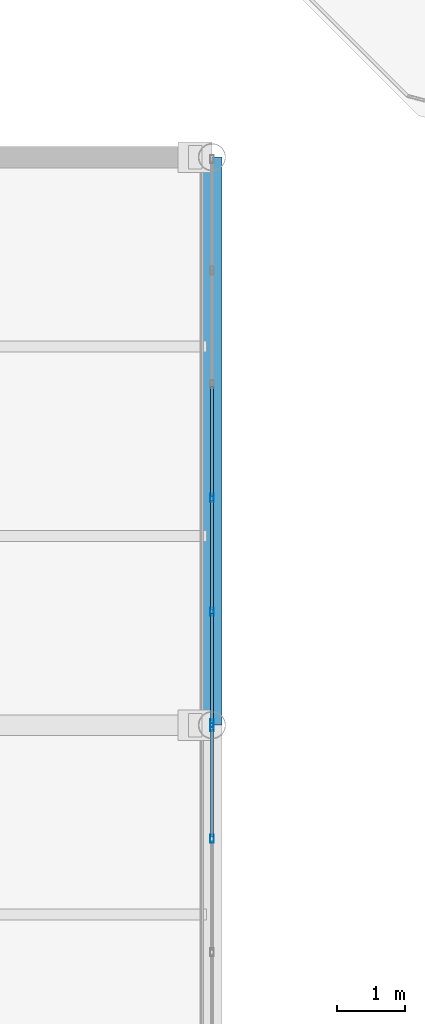
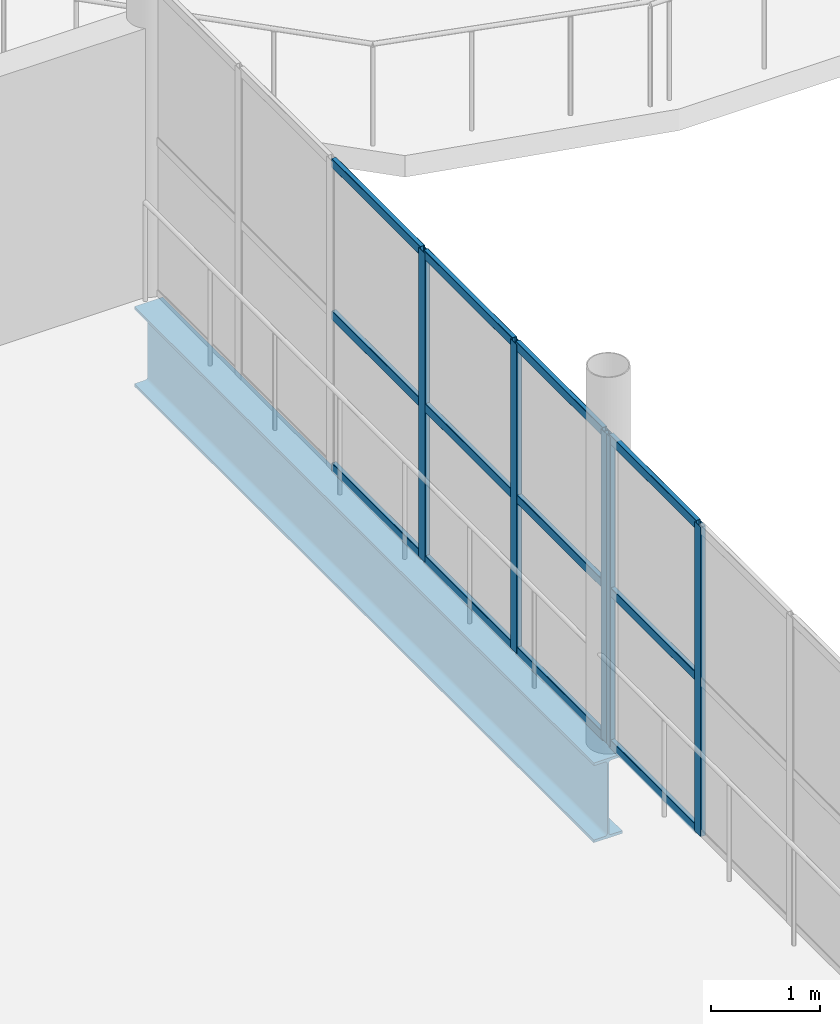
# One storey, part 57 of 163: 17 members, 1 beam, 2 elements without a shape of their own.
"""IFC4 building model written with IfcOpenShell, lengths in metres."""

from ifc_helpers import new_model, si_unit, direction, frame, origin, origin_2d, place, context, subcontext, project, spatial, hollow_rectangle, i_section, extrude, material, layer, layer_set, material_profile, profile_set, type_object, element, aggregate, save


model = new_model("IFC4")

# Units and contexts
model_context = context("Model", 3, precision=1e-05, world=origin(), true_north=direction((0.0, 1.0)))
body_context = subcontext(model_context, "Body", "Model", "MODEL_VIEW")
ifc_project = project(units=[si_unit("LENGTHUNIT", "METRE"), si_unit("AREAUNIT", "SQUARE_METRE"), si_unit("VOLUMEUNIT", "CUBIC_METRE"), si_unit("PLANEANGLEUNIT", "RADIAN"), si_unit("MASSUNIT", "GRAM", prefix="KILO")], contexts=[model_context])

# Site, building, storey
site_placement = place(None, origin())
site = spatial("IfcSite", under=ifc_project, at=site_placement, CompositionType="ELEMENT")
building_placement = place(site_placement, origin())
building = spatial("IfcBuilding", under=site, at=building_placement, Name="Qalvenar Corner Mobility Hub", CompositionType="ELEMENT")
storey_placement = place(building_placement, frame((0.0, 0.0, 4.800048828125)))
storey = spatial("IfcBuildingStorey", under=building, at=storey_placement, Name="L01", CompositionType="ELEMENT", Elevation=4.800048828125)

# Beam
ifc_material_1 = material(Name="Steel S355", Category="steel")
ifc_material_profile_1 = material_profile(ifc_material_1, i_section(OverallWidth=0.300048828125, OverallDepth=0.889892578125, WebThickness=0.01611328125, FlangeThickness=0.030029296875, FilletRadius=0.027099609375, at=origin_2d()), Name="HEA900")
ifc_profile_set_1 = profile_set([ifc_material_profile_1], Name="Steel S355")
beam_type = type_object("IfcBeamType", Name="BM-BRG900", PredefinedType="BEAM", material=ifc_profile_set_1)
beam_placement = place(storey_placement, frame((58.800048828125, 58.800048828125, -0.635009765625), z_axis=(0.0, 1.0, 0.0), x_axis=(-1.0, 0.0, 0.0)))
element("IfcBeam", 1, at=beam_placement, inside=storey, type_object=beam_type, Name="Court Link Bridge Girder BRG-1532", PredefinedType="BEAM", context=body_context, shape_type="SweptSolid", body=[
    extrude(i_section(OverallWidth=0.300048828125, OverallDepth=0.889892578125, WebThickness=0.01611328125, FlangeThickness=0.030029296875, FilletRadius=0.027099609375, at=origin_2d()), origin(), (0.0, 0.0, 1.0), 8.39990234375),
])

# Curtain wall, members
ifc_material_2 = material(Name="Anodised Aluminium and Low-E Glazing", Category="aluminium")
ifc_layer = layer(ifc_material_2, 0.1201171875)
ifc_layer_set = layer_set([ifc_layer], Name="Anodised Aluminium and Low-E Glazing")
curtain_wall_type = type_object("IfcCurtainWallType", Name="CW-BRG-84X28", PredefinedType="NOTDEFINED", material=ifc_layer_set)
curtain_wall_1_placement = place(storey_placement, origin())
curtain_wall_1 = element("IfcCurtainWall", 2, at=curtain_wall_1_placement, inside=storey, type_object=curtain_wall_type, Name="Glazed Curtain Wall CW-BRG-L01-E2", PredefinedType="NOTDEFINED")
ifc_material_3 = material(Name="Anodised Aluminium 6063-T6", Category="aluminium")
ifc_material_profile_2 = material_profile(ifc_material_3, hollow_rectangle(XDim=0.054931640625, YDim=0.1201171875, WallThickness=0.00341796875, InnerFilletRadius=0.00341796875, OuterFilletRadius=0.007080078125, at=origin_2d()), Name="RHS120x55x3.5")
ifc_profile_set_2 = profile_set([ifc_material_profile_2], Name="Anodised Aluminium 6063-T6")
member_type_1 = type_object("IfcMemberType", Name="CW-MUL120", PredefinedType="MULLION", material=ifc_profile_set_2)
member_1_placement = place(storey_placement, frame((58.800048828125, 57.1201171875, 0.0), z_axis=(0.0, 0.0, 1.0), x_axis=(-1.0, 0.0, 0.0)))
member_1 = element("IfcMember", 3, at=member_1_placement, type_object=member_type_1, Name="CW-11 mullion 5", PredefinedType="MULLION", context=body_context, shape_type="SweptSolid", body=[
    extrude(hollow_rectangle(XDim=0.054931640625, YDim=0.1201171875, WallThickness=0.00341796875, InnerFilletRadius=0.00341796875, OuterFilletRadius=0.007080078125, at=origin_2d()), origin(), (0.0, 0.0, 1.0), 3.449951171875),
])
member_2_placement = place(storey_placement, frame((58.800048828125, 58.77001953125, 0.0), z_axis=(0.0, 0.0, 1.0), x_axis=(-1.0, 0.0, 0.0)))
member_2 = element("IfcMember", 4, at=member_2_placement, type_object=member_type_1, Name="CW-11 mullion 6", PredefinedType="MULLION", context=body_context, shape_type="SweptSolid", body=[
    extrude(hollow_rectangle(XDim=0.054931640625, YDim=0.1201171875, WallThickness=0.00341796875, InnerFilletRadius=0.00341796875, OuterFilletRadius=0.007080078125, at=origin_2d()), origin(), (0.0, 0.0, 1.0), 3.449951171875),
])

curtain_wall_2_placement = place(storey_placement, origin())
curtain_wall_2 = element("IfcCurtainWall", 5, at=curtain_wall_2_placement, inside=storey, type_object=curtain_wall_type, Name="Glazed Curtain Wall CW-BRG-L01-E3", PredefinedType="NOTDEFINED")
member_3_placement = place(storey_placement, frame((58.800048828125, 58.830078125, 0.0), z_axis=(0.0, 0.0, 1.0), x_axis=(-1.0, 0.0, 0.0)))
member_3 = element("IfcMember", 6, at=member_3_placement, type_object=member_type_1, Name="CW-11 mullion 1", PredefinedType="MULLION", context=body_context, shape_type="SweptSolid", body=[
    extrude(hollow_rectangle(XDim=0.054931640625, YDim=0.1201171875, WallThickness=0.00341796875, InnerFilletRadius=0.00341796875, OuterFilletRadius=0.007080078125, at=origin_2d()), origin(), (0.0, 0.0, 1.0), 3.449951171875),
])
member_4_placement = place(storey_placement, frame((58.800048828125, 60.47998046875, 0.0), z_axis=(0.0, 0.0, 1.0), x_axis=(-1.0, 0.0, 0.0)))
member_4 = element("IfcMember", 7, at=member_4_placement, type_object=member_type_1, Name="CW-11 mullion 2", PredefinedType="MULLION", context=body_context, shape_type="SweptSolid", body=[
    extrude(hollow_rectangle(XDim=0.054931640625, YDim=0.1201171875, WallThickness=0.00341796875, InnerFilletRadius=0.00341796875, OuterFilletRadius=0.007080078125, at=origin_2d()), origin(), (0.0, 0.0, 1.0), 3.449951171875),
])
member_5_placement = place(storey_placement, frame((58.800048828125, 62.159912109375, 0.0), z_axis=(0.0, 0.0, 1.0), x_axis=(-1.0, 0.0, 0.0)))
member_5 = element("IfcMember", 8, at=member_5_placement, type_object=member_type_1, Name="CW-11 mullion 3", PredefinedType="MULLION", context=body_context, shape_type="SweptSolid", body=[
    extrude(hollow_rectangle(XDim=0.054931640625, YDim=0.1201171875, WallThickness=0.00341796875, InnerFilletRadius=0.00341796875, OuterFilletRadius=0.007080078125, at=origin_2d()), origin(), (0.0, 0.0, 1.0), 3.449951171875),
])

# Member
ifc_material_profile_3 = material_profile(ifc_material_3, hollow_rectangle(XDim=0.050048828125, YDim=0.10009765625, WallThickness=0.0029296875, InnerFilletRadius=0.0029296875, OuterFilletRadius=0.006103515625, at=origin_2d()), Name="RHS100x50x3")
ifc_profile_set_3 = profile_set([ifc_material_profile_3], Name="Anodised Aluminium 6063-T6")
member_type_2 = type_object("IfcMemberType", Name="CW-TRN100", PredefinedType="USERDEFINED", material=ifc_profile_set_3)
member_6_placement = place(storey_placement, frame((58.800048828125, 57.14990234375, 0.02734375), z_axis=(0.0, 1.0, 0.0), x_axis=(-1.0, 0.0, 0.0)))
member_6 = element("IfcMember", 9, at=member_6_placement, type_object=member_type_2, Name="CW-11 transom 5.1", ObjectType="TRANSOM", PredefinedType="USERDEFINED", context=body_context, shape_type="SweptSolid", body=[
    extrude(hollow_rectangle(XDim=0.050048828125, YDim=0.10009765625, WallThickness=0.0029296875, InnerFilletRadius=0.0029296875, OuterFilletRadius=0.006103515625, at=origin_2d()), origin(), (0.0, 0.0, 1.0), 1.590087890625),
])

member_7_placement = place(storey_placement, frame((58.800048828125, 57.14990234375, 1.724853515625), z_axis=(0.0, 1.0, 0.0), x_axis=(-1.0, 0.0, 0.0)))
member_7 = element("IfcMember", 10, at=member_7_placement, type_object=member_type_2, Name="CW-11 transom 5.2", ObjectType="TRANSOM", PredefinedType="USERDEFINED", context=body_context, shape_type="SweptSolid", body=[
    extrude(hollow_rectangle(XDim=0.050048828125, YDim=0.10009765625, WallThickness=0.0029296875, InnerFilletRadius=0.0029296875, OuterFilletRadius=0.006103515625, at=origin_2d()), origin(), (0.0, 0.0, 1.0), 1.590087890625),
])

member_8_placement = place(storey_placement, frame((58.800048828125, 57.14990234375, 3.42236328125), z_axis=(0.0, 1.0, 0.0), x_axis=(-1.0, 0.0, 0.0)))
member_8 = element("IfcMember", 11, at=member_8_placement, type_object=member_type_2, Name="CW-11 transom 5.3", ObjectType="TRANSOM", PredefinedType="USERDEFINED", context=body_context, shape_type="SweptSolid", body=[
    extrude(hollow_rectangle(XDim=0.050048828125, YDim=0.10009765625, WallThickness=0.0029296875, InnerFilletRadius=0.0029296875, OuterFilletRadius=0.006103515625, at=origin_2d()), origin(), (0.0, 0.0, 1.0), 1.590087890625),
])

aggregate(curtain_wall_1, [member_1, member_2, member_6, member_7, member_8])

member_9_placement = place(storey_placement, frame((58.800048828125, 58.860107421875, 0.02734375), z_axis=(0.0, 1.0, 0.0), x_axis=(-1.0, 0.0, 0.0)))
member_9 = element("IfcMember", 12, at=member_9_placement, type_object=member_type_2, Name="CW-11 transom 1.1", ObjectType="TRANSOM", PredefinedType="USERDEFINED", context=body_context, shape_type="SweptSolid", body=[
    extrude(hollow_rectangle(XDim=0.050048828125, YDim=0.10009765625, WallThickness=0.0029296875, InnerFilletRadius=0.0029296875, OuterFilletRadius=0.006103515625, at=origin_2d()), origin(), (0.0, 0.0, 1.0), 1.58984375),
])

member_10_placement = place(storey_placement, frame((58.800048828125, 58.860107421875, 1.724853515625), z_axis=(0.0, 1.0, 0.0), x_axis=(-1.0, 0.0, 0.0)))
member_10 = element("IfcMember", 13, at=member_10_placement, type_object=member_type_2, Name="CW-11 transom 1.2", ObjectType="TRANSOM", PredefinedType="USERDEFINED", context=body_context, shape_type="SweptSolid", body=[
    extrude(hollow_rectangle(XDim=0.050048828125, YDim=0.10009765625, WallThickness=0.0029296875, InnerFilletRadius=0.0029296875, OuterFilletRadius=0.006103515625, at=origin_2d()), origin(), (0.0, 0.0, 1.0), 1.58984375),
])

member_11_placement = place(storey_placement, frame((58.800048828125, 58.860107421875, 3.42236328125), z_axis=(0.0, 1.0, 0.0), x_axis=(-1.0, 0.0, 0.0)))
member_11 = element("IfcMember", 14, at=member_11_placement, type_object=member_type_2, Name="CW-11 transom 1.3", ObjectType="TRANSOM", PredefinedType="USERDEFINED", context=body_context, shape_type="SweptSolid", body=[
    extrude(hollow_rectangle(XDim=0.050048828125, YDim=0.10009765625, WallThickness=0.0029296875, InnerFilletRadius=0.0029296875, OuterFilletRadius=0.006103515625, at=origin_2d()), origin(), (0.0, 0.0, 1.0), 1.58984375),
])

member_12_placement = place(storey_placement, frame((58.800048828125, 60.510009765625, 0.02734375), z_axis=(0.0, 1.0, 0.0), x_axis=(-1.0, 0.0, 0.0)))
member_12 = element("IfcMember", 15, at=member_12_placement, type_object=member_type_2, Name="CW-11 transom 2.1", ObjectType="TRANSOM", PredefinedType="USERDEFINED", context=body_context, shape_type="SweptSolid", body=[
    extrude(hollow_rectangle(XDim=0.050048828125, YDim=0.10009765625, WallThickness=0.0029296875, InnerFilletRadius=0.0029296875, OuterFilletRadius=0.006103515625, at=origin_2d()), origin(), (0.0, 0.0, 1.0), 1.619873046875),
])

member_13_placement = place(storey_placement, frame((58.800048828125, 60.510009765625, 1.724853515625), z_axis=(0.0, 1.0, 0.0), x_axis=(-1.0, 0.0, 0.0)))
member_13 = element("IfcMember", 16, at=member_13_placement, type_object=member_type_2, Name="CW-11 transom 2.2", ObjectType="TRANSOM", PredefinedType="USERDEFINED", context=body_context, shape_type="SweptSolid", body=[
    extrude(hollow_rectangle(XDim=0.050048828125, YDim=0.10009765625, WallThickness=0.0029296875, InnerFilletRadius=0.0029296875, OuterFilletRadius=0.006103515625, at=origin_2d()), origin(), (0.0, 0.0, 1.0), 1.619873046875),
])

member_14_placement = place(storey_placement, frame((58.800048828125, 60.510009765625, 3.42236328125), z_axis=(0.0, 1.0, 0.0), x_axis=(-1.0, 0.0, 0.0)))
member_14 = element("IfcMember", 17, at=member_14_placement, type_object=member_type_2, Name="CW-11 transom 2.3", ObjectType="TRANSOM", PredefinedType="USERDEFINED", context=body_context, shape_type="SweptSolid", body=[
    extrude(hollow_rectangle(XDim=0.050048828125, YDim=0.10009765625, WallThickness=0.0029296875, InnerFilletRadius=0.0029296875, OuterFilletRadius=0.006103515625, at=origin_2d()), origin(), (0.0, 0.0, 1.0), 1.619873046875),
])

member_15_placement = place(storey_placement, frame((58.800048828125, 62.18994140625, 0.02734375), z_axis=(0.0, 1.0, 0.0), x_axis=(-1.0, 0.0, 0.0)))
member_15 = element("IfcMember", 18, at=member_15_placement, type_object=member_type_2, Name="CW-11 transom 3.1", ObjectType="TRANSOM", PredefinedType="USERDEFINED", context=body_context, shape_type="SweptSolid", body=[
    extrude(hollow_rectangle(XDim=0.050048828125, YDim=0.10009765625, WallThickness=0.0029296875, InnerFilletRadius=0.0029296875, OuterFilletRadius=0.006103515625, at=origin_2d()), origin(), (0.0, 0.0, 1.0), 1.6201171875),
])

member_16_placement = place(storey_placement, frame((58.800048828125, 62.18994140625, 1.724853515625), z_axis=(0.0, 1.0, 0.0), x_axis=(-1.0, 0.0, 0.0)))
member_16 = element("IfcMember", 19, at=member_16_placement, type_object=member_type_2, Name="CW-11 transom 3.2", ObjectType="TRANSOM", PredefinedType="USERDEFINED", context=body_context, shape_type="SweptSolid", body=[
    extrude(hollow_rectangle(XDim=0.050048828125, YDim=0.10009765625, WallThickness=0.0029296875, InnerFilletRadius=0.0029296875, OuterFilletRadius=0.006103515625, at=origin_2d()), origin(), (0.0, 0.0, 1.0), 1.6201171875),
])

member_17_placement = place(storey_placement, frame((58.800048828125, 62.18994140625, 3.42236328125), z_axis=(0.0, 1.0, 0.0), x_axis=(-1.0, 0.0, 0.0)))
member_17 = element("IfcMember", 20, at=member_17_placement, type_object=member_type_2, Name="CW-11 transom 3.3", ObjectType="TRANSOM", PredefinedType="USERDEFINED", context=body_context, shape_type="SweptSolid", body=[
    extrude(hollow_rectangle(XDim=0.050048828125, YDim=0.10009765625, WallThickness=0.0029296875, InnerFilletRadius=0.0029296875, OuterFilletRadius=0.006103515625, at=origin_2d()), origin(), (0.0, 0.0, 1.0), 1.6201171875),
])

aggregate(curtain_wall_2, [member_3, member_4, member_5, member_9, member_10, member_11, member_12, member_13, member_14, member_15, member_16, member_17])

save(model, "model.ifc")
